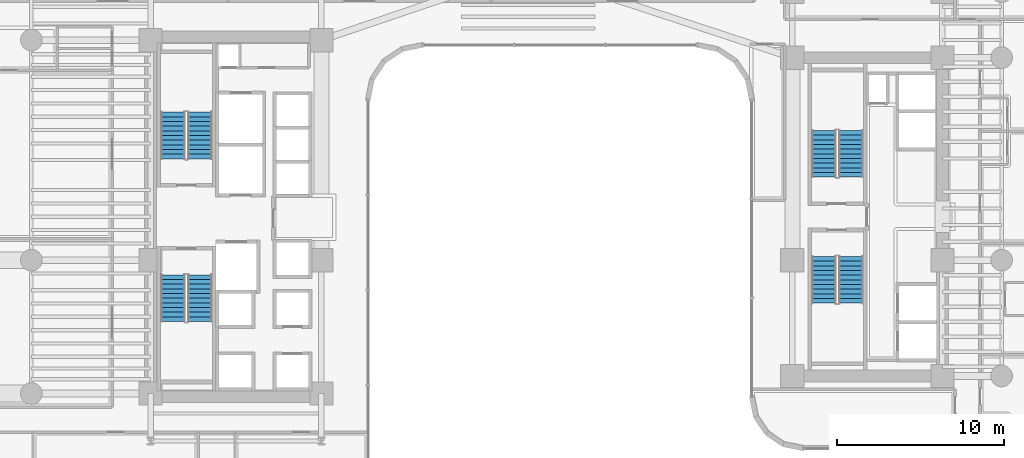
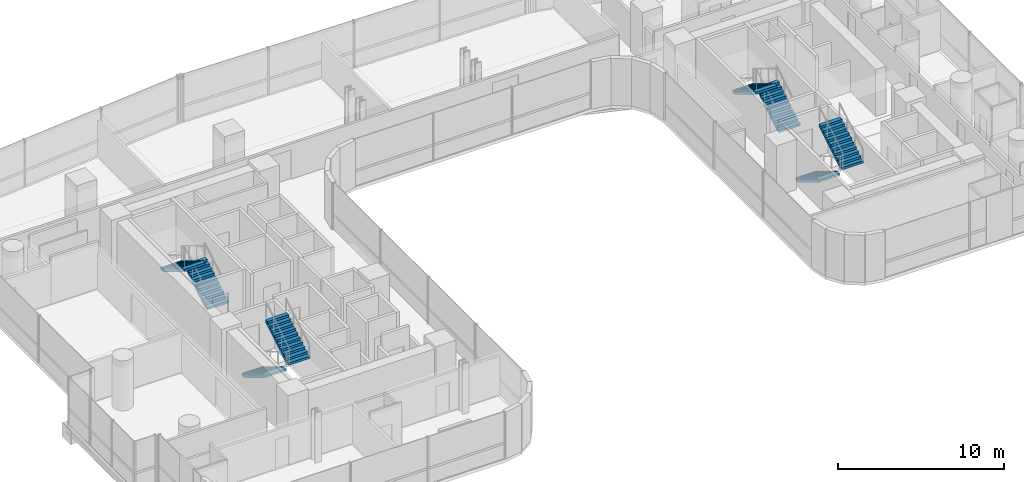
# One storey, part 35 of 40: 8 stair flights, 4 elements without a shape of their own.
"""IFC4 building model written with IfcOpenShell, lengths in metres."""

from ifc_helpers import new_model, si_unit, direction, frame, origin, place, context, subcontext, project, spatial, polyline, outline, extrude, material, type_object, element, aggregate, save


model = new_model("IFC4")

# Units and contexts
model_context = context("Model", 3, precision=1e-05, world=origin(), true_north=direction((0.0, 1.0)))
body_context = subcontext(model_context, "Body", "Model", "MODEL_VIEW")
ifc_project = project(units=[si_unit("LENGTHUNIT", "METRE"), si_unit("AREAUNIT", "SQUARE_METRE"), si_unit("VOLUMEUNIT", "CUBIC_METRE"), si_unit("PLANEANGLEUNIT", "RADIAN"), si_unit("MASSUNIT", "GRAM", prefix="KILO")], contexts=[model_context])

# Site, building, storey
site_placement = place(None, origin())
site = spatial("IfcSite", under=ifc_project, at=site_placement, CompositionType="ELEMENT")
building_placement = place(site_placement, origin())
building = spatial("IfcBuilding", under=site, at=building_placement, Name="Valdorenza Pilgrim Sanctuary Tower", CompositionType="ELEMENT")
storey_placement = place(building_placement, frame((0.0, 0.0, 66.699951171875)))
storey = spatial("IfcBuildingStorey", under=building, at=storey_placement, Name="L16", CompositionType="ELEMENT", Elevation=66.699951171875)

# Stair, stair flights
ifc_material = material(Name="Concrete C40/50", Category="concrete")
stair_type = type_object("IfcStairType", Name="STR-DOG-CORE", PredefinedType="HALF_TURN_STAIR", material=ifc_material)
stair_1_placement = place(storey_placement, origin())
stair_1 = element("IfcStair", 1, at=stair_1_placement, inside=storey, type_object=stair_type, Name="L16 ST-A1", PredefinedType="HALF_TURN_STAIR")
stair_flight_type = type_object("IfcStairFlightType", Name="STF-RC-1400", PredefinedType="STRAIGHT", material=ifc_material)
stair_flight_1_placement = place(storey_placement, frame((-19.679931640625, 3.47998046875, 0.0), z_axis=(0.0, 0.0, 1.0), x_axis=(0.0, 1.0, 0.0)))
stair_flight_1 = element("IfcStairFlight", 2, at=stair_flight_1_placement, type_object=stair_flight_type, Name="ST-A1 flight 1", NumberOfRisers=11, NumberOfTreads=10, PredefinedType="STRAIGHT", RiserHeight=0.168181818, TreadLength=0.28, context=body_context, shape_type="SweptSolid", body=[
    extrude(outline(polyline([(0.0, 0.0), (0.0, 0.168212890625), (0.280029296875, 0.168212890625), (0.280029296875, 0.33642578125), (0.56005859375, 0.33642578125), (0.56005859375, 0.504638671875), (0.840087890625, 0.504638671875), (0.840087890625, 0.672607421875), (1.1201171875, 0.672607421875), (1.1201171875, 0.8408203125), (1.39990234375, 0.8408203125), (1.39990234375, 1.009033203125), (1.679931640625, 1.009033203125), (1.679931640625, 1.17724609375), (1.9599609375, 1.17724609375), (1.9599609375, 1.345458984375), (2.239990234375, 1.345458984375), (2.239990234375, 1.513671875), (2.52001953125, 1.513671875), (2.52001953125, 1.681884765625), (2.800048828125, 1.681884765625), (2.800048828125, 1.85009765625), (2.800048828125, 1.5068359375), (0.291015625, 0.0), (0.0, 0.0)])), frame((0.0, 0.739990234375, 0.0), z_axis=(0.0, -1.0, 0.0), x_axis=(1.0, 0.0, 0.0)), (0.0, 0.0, 1.0), 1.47998046875),
])
stair_flight_2_placement = place(storey_placement, frame((-21.31005859375, 6.280029296875, 1.85009765625), z_axis=(0.0, 0.0, 1.0), x_axis=(0.0, -1.0, 0.0)))
stair_flight_2 = element("IfcStairFlight", 3, at=stair_flight_2_placement, type_object=stair_flight_type, Name="ST-A1 flight 2", NumberOfRisers=11, NumberOfTreads=10, PredefinedType="STRAIGHT", RiserHeight=0.168181818, TreadLength=0.28, context=body_context, shape_type="SweptSolid", body=[
    extrude(outline(polyline([(0.0, 0.0), (0.0, 0.168212890625), (0.280029296875, 0.168212890625), (0.280029296875, 0.33642578125), (0.56005859375, 0.33642578125), (0.56005859375, 0.504638671875), (0.840087890625, 0.504638671875), (0.840087890625, 0.672607421875), (1.1201171875, 0.672607421875), (1.1201171875, 0.8408203125), (1.39990234375, 0.8408203125), (1.39990234375, 1.009033203125), (1.679931640625, 1.009033203125), (1.679931640625, 1.17724609375), (1.9599609375, 1.17724609375), (1.9599609375, 1.345458984375), (2.239990234375, 1.345458984375), (2.239990234375, 1.513671875), (2.52001953125, 1.513671875), (2.52001953125, 1.681884765625), (2.800048828125, 1.681884765625), (2.800048828125, 1.85009765625), (2.800048828125, 1.5068359375), (0.291015625, 0.0), (0.0, 0.0)])), frame((0.0, 0.739990234375, 0.0), z_axis=(0.0, -1.0, 0.0), x_axis=(1.0, 0.0, 0.0)), (0.0, 0.0, 1.0), 1.47998046875),
])
aggregate(stair_1, [stair_flight_1, stair_flight_2])

stair_2_placement = place(storey_placement, origin())
stair_2 = element("IfcStair", 4, at=stair_2_placement, inside=storey, type_object=stair_type, Name="L16 ST-A2", PredefinedType="HALF_TURN_STAIR")
stair_flight_3_placement = place(storey_placement, frame((-21.31005859375, -3.47998046875, 0.0), z_axis=(0.0, 0.0, 1.0), x_axis=(0.0, -1.0, 0.0)))
stair_flight_3 = element("IfcStairFlight", 5, at=stair_flight_3_placement, type_object=stair_flight_type, Name="ST-A2 flight 1", NumberOfRisers=11, NumberOfTreads=10, PredefinedType="STRAIGHT", RiserHeight=0.168181818, TreadLength=0.28, context=body_context, shape_type="SweptSolid", body=[
    extrude(outline(polyline([(0.0, 0.0), (0.0, 0.168212890625), (0.280029296875, 0.168212890625), (0.280029296875, 0.33642578125), (0.56005859375, 0.33642578125), (0.56005859375, 0.504638671875), (0.840087890625, 0.504638671875), (0.840087890625, 0.672607421875), (1.1201171875, 0.672607421875), (1.1201171875, 0.8408203125), (1.39990234375, 0.8408203125), (1.39990234375, 1.009033203125), (1.679931640625, 1.009033203125), (1.679931640625, 1.17724609375), (1.9599609375, 1.17724609375), (1.9599609375, 1.345458984375), (2.239990234375, 1.345458984375), (2.239990234375, 1.513671875), (2.52001953125, 1.513671875), (2.52001953125, 1.681884765625), (2.800048828125, 1.681884765625), (2.800048828125, 1.85009765625), (2.800048828125, 1.5068359375), (0.291015625, 0.0), (0.0, 0.0)])), frame((0.0, 0.739990234375, 0.0), z_axis=(0.0, -1.0, 0.0), x_axis=(1.0, 0.0, 0.0)), (0.0, 0.0, 1.0), 1.47998046875),
])
stair_flight_4_placement = place(storey_placement, frame((-19.679931640625, -6.280029296875, 1.85009765625), z_axis=(0.0, 0.0, 1.0), x_axis=(0.0, 1.0, 0.0)))
stair_flight_4 = element("IfcStairFlight", 6, at=stair_flight_4_placement, type_object=stair_flight_type, Name="ST-A2 flight 2", NumberOfRisers=11, NumberOfTreads=10, PredefinedType="STRAIGHT", RiserHeight=0.168181818, TreadLength=0.28, context=body_context, shape_type="SweptSolid", body=[
    extrude(outline(polyline([(0.0, 0.0), (0.0, 0.168212890625), (0.280029296875, 0.168212890625), (0.280029296875, 0.33642578125), (0.56005859375, 0.33642578125), (0.56005859375, 0.504638671875), (0.840087890625, 0.504638671875), (0.840087890625, 0.672607421875), (1.1201171875, 0.672607421875), (1.1201171875, 0.8408203125), (1.39990234375, 0.8408203125), (1.39990234375, 1.009033203125), (1.679931640625, 1.009033203125), (1.679931640625, 1.17724609375), (1.9599609375, 1.17724609375), (1.9599609375, 1.345458984375), (2.239990234375, 1.345458984375), (2.239990234375, 1.513671875), (2.52001953125, 1.513671875), (2.52001953125, 1.681884765625), (2.800048828125, 1.681884765625), (2.800048828125, 1.85009765625), (2.800048828125, 1.5068359375), (0.291015625, 0.0), (0.0, 0.0)])), frame((0.0, 0.739990234375, 0.0), z_axis=(0.0, -1.0, 0.0), x_axis=(1.0, 0.0, 0.0)), (0.0, 0.0, 1.0), 1.47998046875),
])
aggregate(stair_2, [stair_flight_3, stair_flight_4])

stair_3_placement = place(storey_placement, origin())
stair_3 = element("IfcStair", 7, at=stair_3_placement, inside=storey, type_object=stair_type, Name="L16 ST-B1", PredefinedType="HALF_TURN_STAIR")
stair_flight_5_placement = place(storey_placement, frame((19.3701171875, 2.3798828125, 0.0), z_axis=(0.0, 0.0, 1.0), x_axis=(0.0, 1.0, 0.0)))
stair_flight_5 = element("IfcStairFlight", 8, at=stair_flight_5_placement, type_object=stair_flight_type, Name="ST-B1 flight 1", NumberOfRisers=11, NumberOfTreads=10, PredefinedType="STRAIGHT", RiserHeight=0.168181818, TreadLength=0.28, context=body_context, shape_type="SweptSolid", body=[
    extrude(outline(polyline([(0.0, 0.0), (0.0, 0.168212890625), (0.280029296875, 0.168212890625), (0.280029296875, 0.33642578125), (0.56005859375, 0.33642578125), (0.56005859375, 0.504638671875), (0.840087890625, 0.504638671875), (0.840087890625, 0.672607421875), (1.1201171875, 0.672607421875), (1.1201171875, 0.8408203125), (1.39990234375, 0.8408203125), (1.39990234375, 1.009033203125), (1.679931640625, 1.009033203125), (1.679931640625, 1.17724609375), (1.9599609375, 1.17724609375), (1.9599609375, 1.345458984375), (2.239990234375, 1.345458984375), (2.239990234375, 1.513671875), (2.52001953125, 1.513671875), (2.52001953125, 1.681884765625), (2.800048828125, 1.681884765625), (2.800048828125, 1.85009765625), (2.800048828125, 1.5068359375), (0.291015625, 0.0), (0.0, 0.0)])), frame((0.0, 0.739990234375, 0.0), z_axis=(0.0, -1.0, 0.0), x_axis=(1.0, 0.0, 0.0)), (0.0, 0.0, 1.0), 1.47998046875),
])
stair_flight_6_placement = place(storey_placement, frame((17.739990234375, 5.179931640625, 1.85009765625), z_axis=(0.0, 0.0, 1.0), x_axis=(0.0, -1.0, 0.0)))
stair_flight_6 = element("IfcStairFlight", 9, at=stair_flight_6_placement, type_object=stair_flight_type, Name="ST-B1 flight 2", NumberOfRisers=11, NumberOfTreads=10, PredefinedType="STRAIGHT", RiserHeight=0.168181818, TreadLength=0.28, context=body_context, shape_type="SweptSolid", body=[
    extrude(outline(polyline([(0.0, 0.0), (0.0, 0.168212890625), (0.280029296875, 0.168212890625), (0.280029296875, 0.33642578125), (0.56005859375, 0.33642578125), (0.56005859375, 0.504638671875), (0.840087890625, 0.504638671875), (0.840087890625, 0.672607421875), (1.1201171875, 0.672607421875), (1.1201171875, 0.8408203125), (1.39990234375, 0.8408203125), (1.39990234375, 1.009033203125), (1.679931640625, 1.009033203125), (1.679931640625, 1.17724609375), (1.9599609375, 1.17724609375), (1.9599609375, 1.345458984375), (2.239990234375, 1.345458984375), (2.239990234375, 1.513671875), (2.52001953125, 1.513671875), (2.52001953125, 1.681884765625), (2.800048828125, 1.681884765625), (2.800048828125, 1.85009765625), (2.800048828125, 1.5068359375), (0.291015625, 0.0), (0.0, 0.0)])), frame((0.0, 0.739990234375, 0.0), z_axis=(0.0, -1.0, 0.0), x_axis=(1.0, 0.0, 0.0)), (0.0, 0.0, 1.0), 1.47998046875),
])
aggregate(stair_3, [stair_flight_5, stair_flight_6])

stair_4_placement = place(storey_placement, origin())
stair_4 = element("IfcStair", 10, at=stair_4_placement, inside=storey, type_object=stair_type, Name="L16 ST-B2", PredefinedType="HALF_TURN_STAIR")
stair_flight_7_placement = place(storey_placement, frame((17.739990234375, -2.3798828125, 0.0), z_axis=(0.0, 0.0, 1.0), x_axis=(0.0, -1.0, 0.0)))
stair_flight_7 = element("IfcStairFlight", 11, at=stair_flight_7_placement, type_object=stair_flight_type, Name="ST-B2 flight 1", NumberOfRisers=11, NumberOfTreads=10, PredefinedType="STRAIGHT", RiserHeight=0.168181818, TreadLength=0.28, context=body_context, shape_type="SweptSolid", body=[
    extrude(outline(polyline([(0.0, 0.0), (0.0, 0.168212890625), (0.280029296875, 0.168212890625), (0.280029296875, 0.33642578125), (0.56005859375, 0.33642578125), (0.56005859375, 0.504638671875), (0.840087890625, 0.504638671875), (0.840087890625, 0.672607421875), (1.1201171875, 0.672607421875), (1.1201171875, 0.8408203125), (1.39990234375, 0.8408203125), (1.39990234375, 1.009033203125), (1.679931640625, 1.009033203125), (1.679931640625, 1.17724609375), (1.9599609375, 1.17724609375), (1.9599609375, 1.345458984375), (2.239990234375, 1.345458984375), (2.239990234375, 1.513671875), (2.52001953125, 1.513671875), (2.52001953125, 1.681884765625), (2.800048828125, 1.681884765625), (2.800048828125, 1.85009765625), (2.800048828125, 1.5068359375), (0.291015625, 0.0), (0.0, 0.0)])), frame((0.0, 0.739990234375, 0.0), z_axis=(0.0, -1.0, 0.0), x_axis=(1.0, 0.0, 0.0)), (0.0, 0.0, 1.0), 1.47998046875),
])
stair_flight_8_placement = place(storey_placement, frame((19.3701171875, -5.179931640625, 1.85009765625), z_axis=(0.0, 0.0, 1.0), x_axis=(0.0, 1.0, 0.0)))
stair_flight_8 = element("IfcStairFlight", 12, at=stair_flight_8_placement, type_object=stair_flight_type, Name="ST-B2 flight 2", NumberOfRisers=11, NumberOfTreads=10, PredefinedType="STRAIGHT", RiserHeight=0.168181818, TreadLength=0.28, context=body_context, shape_type="SweptSolid", body=[
    extrude(outline(polyline([(0.0, 0.0), (0.0, 0.168212890625), (0.280029296875, 0.168212890625), (0.280029296875, 0.33642578125), (0.56005859375, 0.33642578125), (0.56005859375, 0.504638671875), (0.840087890625, 0.504638671875), (0.840087890625, 0.672607421875), (1.1201171875, 0.672607421875), (1.1201171875, 0.8408203125), (1.39990234375, 0.8408203125), (1.39990234375, 1.009033203125), (1.679931640625, 1.009033203125), (1.679931640625, 1.17724609375), (1.9599609375, 1.17724609375), (1.9599609375, 1.345458984375), (2.239990234375, 1.345458984375), (2.239990234375, 1.513671875), (2.52001953125, 1.513671875), (2.52001953125, 1.681884765625), (2.800048828125, 1.681884765625), (2.800048828125, 1.85009765625), (2.800048828125, 1.5068359375), (0.291015625, 0.0), (0.0, 0.0)])), frame((0.0, 0.739990234375, 0.0), z_axis=(0.0, -1.0, 0.0), x_axis=(1.0, 0.0, 0.0)), (0.0, 0.0, 1.0), 1.47998046875),
])
aggregate(stair_4, [stair_flight_7, stair_flight_8])

save(model, "model.ifc")
